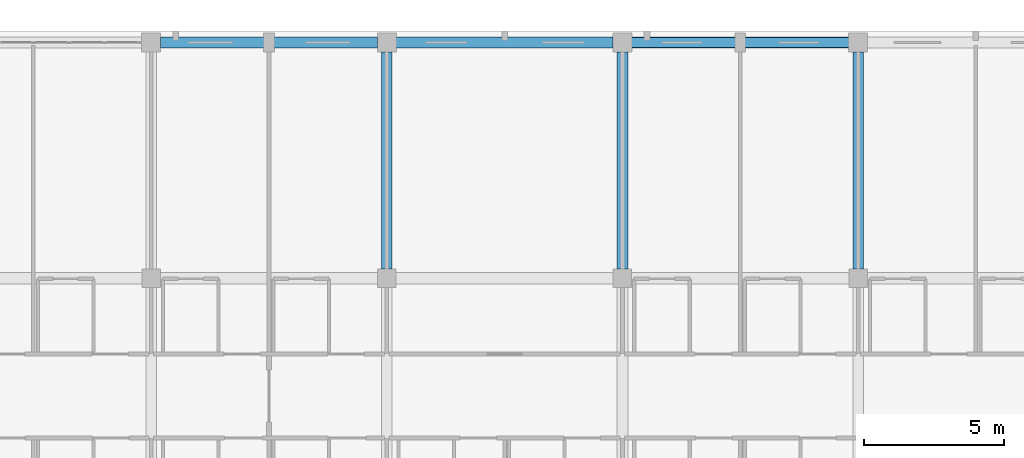
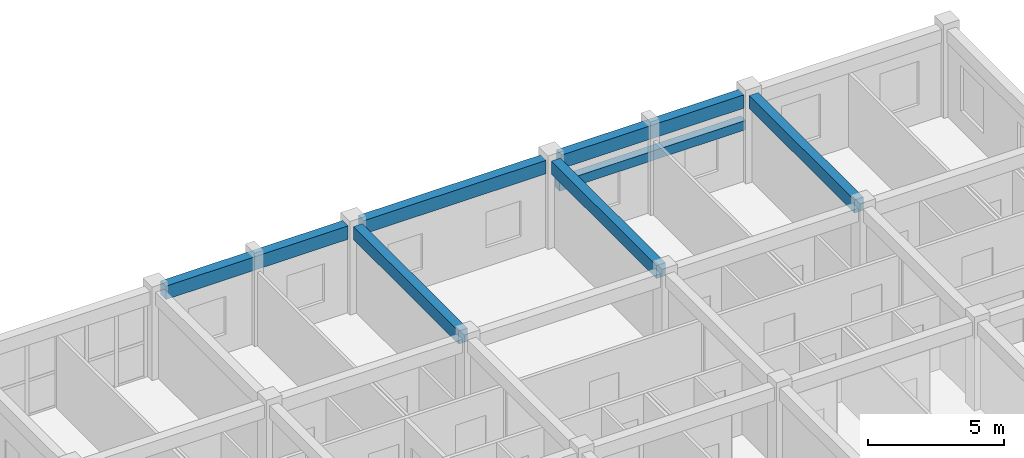
# One storey, part 84 of 140: 7 beams.
"""IFC4 building model written with IfcOpenShell, lengths in metres."""

from ifc_helpers import new_model, si_unit, direction, frame, origin, origin_2d, place, context, subcontext, project, spatial, rectangle, extrude, material, material_profile, profile_set, type_object, element, save


model = new_model("IFC4")

# Units and contexts
model_context = context("Model", 3, precision=1e-05, world=origin(), true_north=direction((0.0, 1.0)))
body_context = subcontext(model_context, "Body", "Model", "MODEL_VIEW")
ifc_project = project(units=[si_unit("LENGTHUNIT", "METRE"), si_unit("AREAUNIT", "SQUARE_METRE"), si_unit("VOLUMEUNIT", "CUBIC_METRE"), si_unit("PLANEANGLEUNIT", "RADIAN"), si_unit("MASSUNIT", "GRAM", prefix="KILO")], contexts=[model_context])

# Site, building, storey
site_placement = place(None, origin())
site = spatial("IfcSite", under=ifc_project, at=site_placement, CompositionType="ELEMENT")
building_placement = place(site_placement, origin())
building = spatial("IfcBuilding", under=site, at=building_placement, Name="Trelvath General Hospital", CompositionType="ELEMENT")
storey_placement = place(building_placement, frame((0.0, 0.0, 16.199951171875)))
storey = spatial("IfcBuildingStorey", under=building, at=storey_placement, Name="L04", CompositionType="ELEMENT", Elevation=16.199951171875)

# Beams
ifc_material_1 = material(Name="Concrete C35/45", Category="concrete")
ifc_material_profile_1 = material_profile(ifc_material_1, rectangle(XDim=0.3798828125, YDim=0.580078125, at=origin_2d()), Name="RCB380x580")
ifc_profile_set_1 = profile_set([ifc_material_profile_1], Name="Concrete C35/45")
beam_type_1 = type_object("IfcBeamType", Name="Beam RC380x580", PredefinedType="BEAM", material=ifc_profile_set_1)
for number, where, z_axis, x_axis, name in (
    (1, (109.199951171875, 109.52490234375, 3.630126953125), (0.0, 1.0, 0.0), (-1.0, 0.0, 0.0), "Grid Beam BY-413N"),
    (2, (117.60009765625, 109.52490234375, 3.630126953125), (0.0, 1.0, 0.0), (-1.0, 0.0, 0.0), "Grid Beam BY-414N"),
    (3, (126.0, 109.52490234375, 3.630126953125), (0.0, 1.0, 0.0), (-1.0, 0.0, 0.0), "Grid Beam BY-415N"),
):
    element("IfcBeam", number, at=place(storey_placement, frame(where, z_axis=z_axis, x_axis=x_axis)), inside=storey, type_object=beam_type_1, Name=name, PredefinedType="BEAM", context=body_context, shape_type="SweptSolid", body=[
        extrude(rectangle(XDim=0.3798828125, YDim=0.580078125, at=origin_2d()), origin(), (0.0, 0.0, 1.0), 7.739990234375),
    ])
ifc_material_2 = material(Name="Concrete C35/45", Category="concrete")
ifc_material_profile_2 = material_profile(ifc_material_2, rectangle(XDim=0.39990234375, YDim=0.60009765625, at=origin_2d()), Name="RCB400x600")
ifc_profile_set_2 = profile_set([ifc_material_profile_2], Name="Concrete C35/45")
beam_type_2 = type_object("IfcBeamType", Name="Beam RC400x600", PredefinedType="BEAM", material=ifc_profile_set_2)
for number, where, z_axis, x_axis, name in (
    (4, (101.135009765625, 117.60009765625, 3.6201171875), (1.0, 0.0, 0.0), (0.0, 1.0, 0.0), "Grid Beam BX-412O"),
    (5, (109.534912109375, 117.60009765625, 3.6201171875), (1.0, 0.0, 0.0), (0.0, 1.0, 0.0), "Grid Beam BX-413O"),
    (6, (117.93505859375, 117.60009765625, 3.6201171875), (1.0, 0.0, 0.0), (0.0, 1.0, 0.0), "Grid Beam BX-414O"),
):
    element("IfcBeam", number, at=place(storey_placement, frame(where, z_axis=z_axis, x_axis=x_axis)), inside=storey, type_object=beam_type_2, Name=name, PredefinedType="BEAM", context=body_context, shape_type="SweptSolid", body=[
        extrude(rectangle(XDim=0.39990234375, YDim=0.60009765625, at=origin_2d()), origin(), (0.0, 0.0, 1.0), 7.72998046875),
    ])
ifc_material_3 = material(Name="Precast concrete C40/50", Category="concrete")
ifc_material_profile_3 = material_profile(ifc_material_3, rectangle(XDim=0.35009765625, YDim=0.419921875, at=origin_2d()), Name="PCL350x420")
ifc_profile_set_3 = profile_set([ifc_material_profile_3], Name="Precast concrete C40/50")
beam_type_3 = type_object("IfcBeamType", Name="Lintel PC350x420", PredefinedType="LINTEL", material=ifc_profile_set_3)
beam_placement = place(storey_placement, frame((117.85498046875, 117.60009765625, 2.52001953125), z_axis=(1.0, 0.0, 0.0), x_axis=(0.0, 1.0, 0.0)))
element("IfcBeam", 7, at=beam_placement, inside=storey, type_object=beam_type_3, Name="Precast Window Brow Lintel L04-482", PredefinedType="LINTEL", context=body_context, shape_type="SweptSolid", body=[
    extrude(rectangle(XDim=0.35009765625, YDim=0.419921875, at=origin_2d()), origin(), (0.0, 0.0, 1.0), 7.89013671875),
])

save(model, "model.ifc")
